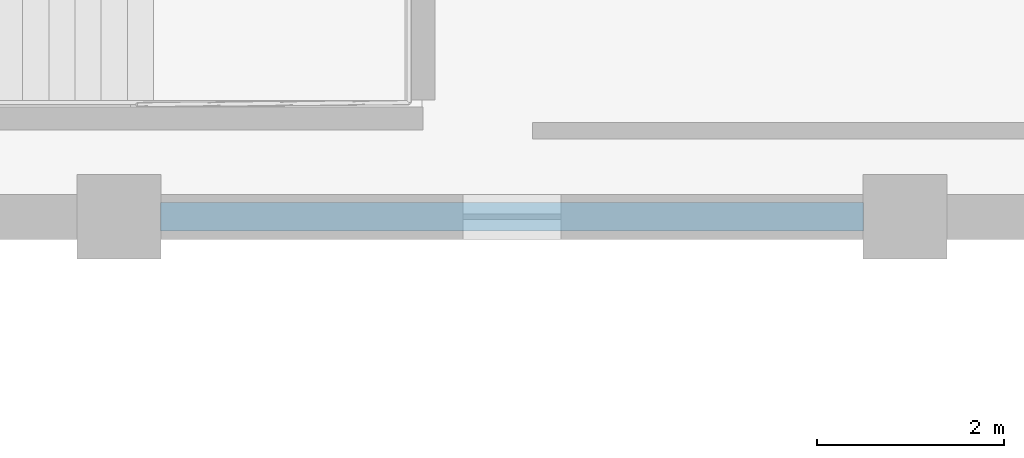
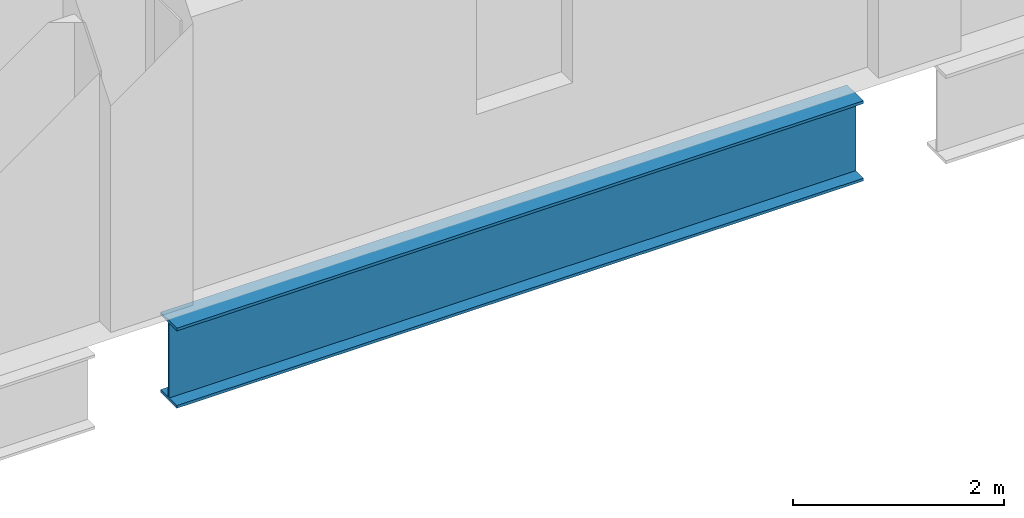
# One storey, part 26 of 50: 1 beam.
"""IFC4 building model written with IfcOpenShell, lengths in metres."""

from ifc_helpers import new_model, si_unit, direction, frame, origin, origin_2d, place, context, subcontext, project, spatial, i_section, extrude, material, material_profile, profile_set, type_object, element, save


model = new_model("IFC4")

# Units and contexts
model_context = context("Model", 3, precision=1e-05, world=origin(), true_north=direction((0.0, 1.0)))
body_context = subcontext(model_context, "Body", "Model", "MODEL_VIEW")
ifc_project = project(units=[si_unit("LENGTHUNIT", "METRE"), si_unit("AREAUNIT", "SQUARE_METRE"), si_unit("VOLUMEUNIT", "CUBIC_METRE"), si_unit("PLANEANGLEUNIT", "RADIAN"), si_unit("MASSUNIT", "GRAM", prefix="KILO")], contexts=[model_context])

# Site, building, storey
site_placement = place(None, origin())
site = spatial("IfcSite", under=ifc_project, at=site_placement, CompositionType="ELEMENT")
building_placement = place(site_placement, origin())
building = spatial("IfcBuilding", under=site, at=building_placement, Name="Solvento Point Concert Hall", CompositionType="ELEMENT")
storey_placement = place(building_placement, frame((0.0, 0.0, 15.0)))
storey = spatial("IfcBuildingStorey", under=building, at=storey_placement, Name="L03", CompositionType="ELEMENT", Elevation=15.0)

# Beam
ifc_material = material(Name="Structural Steel ASTM A992 Grade 50", Category="steel")
ifc_material_profile = material_profile(ifc_material, i_section(OverallWidth=0.3076171875, OverallDepth=0.927001953125, WebThickness=0.019287109375, FlangeThickness=0.031982421875, at=origin_2d()), Name="W36X194")
ifc_profile_set = profile_set([ifc_material_profile], Name="Structural Steel ASTM A992 Grade 50")
beam_type = type_object("IfcBeamType", Name="Girder_W36X194", PredefinedType="USERDEFINED", material=ifc_profile_set)
beam_placement = place(storey_placement, frame((91.64404296875, 42.5, -0.907470703125), z_axis=(1.0, 0.0, 0.0), x_axis=(0.0, 1.0, 0.0)))
element("IfcBeam", 1, at=beam_placement, inside=storey, type_object=beam_type, Name="Primary girder B-61 L03", ObjectType="GIRDER", PredefinedType="USERDEFINED", context=body_context, shape_type="SweptSolid", body=[
    extrude(i_section(OverallWidth=0.3076171875, OverallDepth=0.927001953125, WebThickness=0.019287109375, FlangeThickness=0.031982421875, at=origin_2d()), origin(), (0.0, 0.0, 1.0), 7.511962890625),
])

save(model, "model.ifc")
